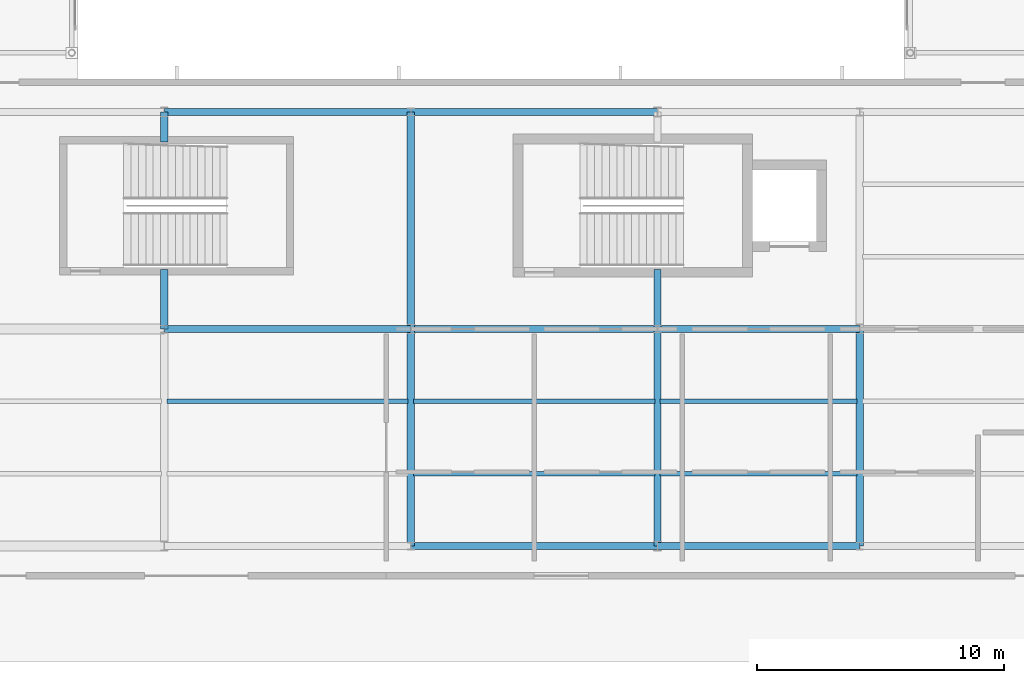
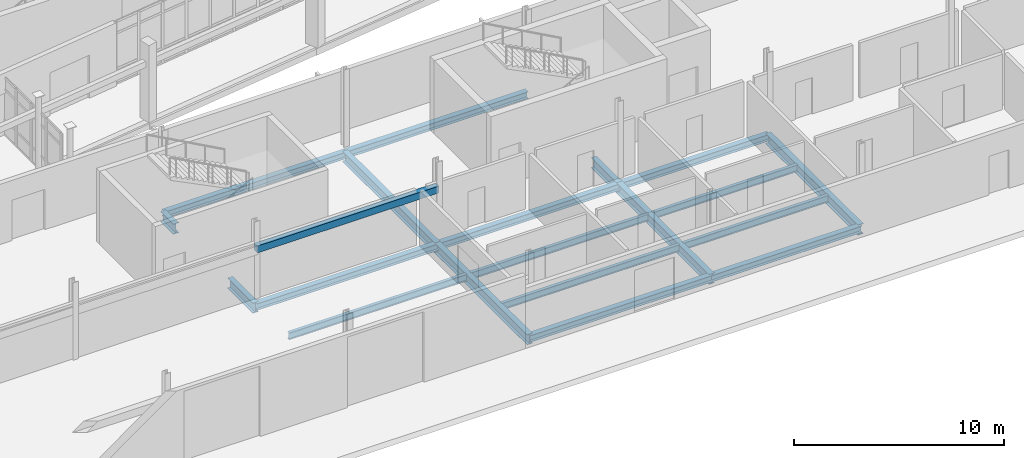
# One storey, part 38 of 122: 20 beams.
"""IFC4 building model written with IfcOpenShell, lengths in metres."""

from ifc_helpers import new_model, si_unit, direction, frame, origin, origin_2d, place, context, subcontext, project, spatial, rectangle, i_section, extrude, material, material_profile, profile_set, type_object, element, save


model = new_model("IFC4")

# Units and contexts
model_context = context("Model", 3, precision=1e-05, world=origin(), true_north=direction((0.0, 1.0)))
body_context = subcontext(model_context, "Body", "Model", "MODEL_VIEW")
ifc_project = project(units=[si_unit("LENGTHUNIT", "METRE"), si_unit("AREAUNIT", "SQUARE_METRE"), si_unit("VOLUMEUNIT", "CUBIC_METRE"), si_unit("PLANEANGLEUNIT", "RADIAN"), si_unit("MASSUNIT", "GRAM", prefix="KILO")], contexts=[model_context])

# Site, building, storey
site_placement = place(None, origin())
site = spatial("IfcSite", under=ifc_project, at=site_placement, CompositionType="ELEMENT")
building_placement = place(site_placement, origin())
building = spatial("IfcBuilding", under=site, at=building_placement, Name="Sohan Crest Arena", CompositionType="ELEMENT")
storey_placement = place(building_placement, origin())
storey = spatial("IfcBuildingStorey", under=building, at=storey_placement, Name="L00", CompositionType="ELEMENT", Elevation=0.0)

# Beams
ifc_material_1 = material(Name="Steel S355", Category="steel")
ifc_material_profile_1 = material_profile(ifc_material_1, i_section(OverallWidth=0.179931640625, OverallDepth=0.39990234375, WebThickness=0.008544921875, FlangeThickness=0.013427734375, at=origin_2d()), Name="IPE 400")
ifc_profile_set_1 = profile_set([ifc_material_profile_1], Name="Steel S355")
beam_type_1 = type_object("IfcBeamType", Name="STR-BM-B03", PredefinedType="JOIST", material=ifc_profile_set_1)
for number, where, z_axis, x_axis, name in (
    (1, (105.110107421875, 13.06689453125, -0.5), (1.0, 0.0, 0.0), (0.0, 1.0, 0.0), "Structural beam J-L00-2537"),
    (2, (115.110107421875, 10.133056640625, -0.5), (1.0, 0.0, 0.0), (0.0, 1.0, 0.0), "Structural beam J-L00-2539"),
    (3, (115.110107421875, 13.06689453125, -0.5), (1.0, 0.0, 0.0), (0.0, 1.0, 0.0), "Structural beam J-L00-2540"),
):
    element("IfcBeam", number, at=place(storey_placement, frame(where, z_axis=z_axis, x_axis=x_axis)), inside=storey, type_object=beam_type_1, Name=name, PredefinedType="JOIST", context=body_context, shape_type="SweptSolid", body=[
        extrude(i_section(OverallWidth=0.179931640625, OverallDepth=0.39990234375, WebThickness=0.008544921875, FlangeThickness=0.013427734375, at=origin_2d()), origin(), (0.0, 0.0, 1.0), 9.77978515625),
    ])
for number, where, z_axis, x_axis, name in (
    (4, (125.110107421875, 10.133056640625, -0.5), (1.0, 0.0, 0.0), (0.0, 1.0, 0.0), "Structural beam J-L00-2542"),
    (5, (125.110107421875, 13.06689453125, -0.5), (1.0, 0.0, 0.0), (0.0, 1.0, 0.0), "Structural beam J-L00-2543"),
):
    element("IfcBeam", number, at=place(storey_placement, frame(where, z_axis=z_axis, x_axis=x_axis)), inside=storey, type_object=beam_type_1, Name=name, PredefinedType="JOIST", context=body_context, shape_type="SweptSolid", body=[
        extrude(i_section(OverallWidth=0.179931640625, OverallDepth=0.39990234375, WebThickness=0.008544921875, FlangeThickness=0.013427734375, at=origin_2d()), origin(), (0.0, 0.0, 1.0), 7.97998046875),
    ])
ifc_material_profile_2 = material_profile(ifc_material_1, i_section(OverallWidth=0.300048828125, OverallDepth=0.389892578125, WebThickness=0.010986328125, FlangeThickness=0.01904296875, at=origin_2d()), Name="HEA 400")
ifc_profile_set_2 = profile_set([ifc_material_profile_2], Name="Steel S355")
beam_type_2 = type_object("IfcBeamType", Name="STR-BM-B09", PredefinedType="BEAM", material=ifc_profile_set_2)
beam_1_placement = place(storey_placement, frame((115.0, 7.199951171875, -0.4951171875), z_axis=(1.0, 0.0, 0.0), x_axis=(0.0, 1.0, 0.0)))
element("IfcBeam", 6, at=beam_1_placement, inside=storey, type_object=beam_type_2, Name="Structural beam G-L00-2538", PredefinedType="BEAM", context=body_context, shape_type="SweptSolid", body=[
    extrude(i_section(OverallWidth=0.300048828125, OverallDepth=0.389892578125, WebThickness=0.010986328125, FlangeThickness=0.01904296875, at=origin_2d()), origin(), (0.0, 0.0, 1.0), 10.0),
])
beam_2_placement = place(storey_placement, frame((125.0, 7.199951171875, -0.4951171875), z_axis=(1.0, 0.0, 0.0), x_axis=(0.0, 1.0, 0.0)))
element("IfcBeam", 7, at=beam_2_placement, inside=storey, type_object=beam_type_2, Name="Structural beam G-L00-2541", PredefinedType="BEAM", context=body_context, shape_type="SweptSolid", body=[
    extrude(i_section(OverallWidth=0.300048828125, OverallDepth=0.389892578125, WebThickness=0.010986328125, FlangeThickness=0.01904296875, at=origin_2d()), origin(), (0.0, 0.0, 1.0), 8.199951171875),
])
for number, where, z_axis, x_axis, name in (
    (8, (105.0, 16.0, -0.4951171875), (1.0, 0.0, 0.0), (0.0, 1.0, 0.0), "Structural beam G-L00-2556"),
    (9, (115.0, 16.0, -0.4951171875), (1.0, 0.0, 0.0), (0.0, 1.0, 0.0), "Structural beam G-L00-2557"),
):
    element("IfcBeam", number, at=place(storey_placement, frame(where, z_axis=z_axis, x_axis=x_axis)), inside=storey, type_object=beam_type_2, Name=name, PredefinedType="BEAM", context=body_context, shape_type="SweptSolid", body=[
        extrude(i_section(OverallWidth=0.300048828125, OverallDepth=0.389892578125, WebThickness=0.010986328125, FlangeThickness=0.01904296875, at=origin_2d()), origin(), (0.0, 0.0, 1.0), 10.0),
    ])
beam_3_placement = place(storey_placement, frame((125.0, 16.0, -0.4951171875), z_axis=(1.0, 0.0, 0.0), x_axis=(0.0, 1.0, 0.0)))
element("IfcBeam", 10, at=beam_3_placement, inside=storey, type_object=beam_type_2, Name="Structural beam G-L00-2558", PredefinedType="BEAM", context=body_context, shape_type="SweptSolid", body=[
    extrude(i_section(OverallWidth=0.300048828125, OverallDepth=0.389892578125, WebThickness=0.010986328125, FlangeThickness=0.01904296875, at=origin_2d()), origin(), (0.0, 0.0, 1.0), 8.199951171875),
])
for number, where, z_axis, x_axis, name in (
    (11, (105.0, 24.800048828125, -0.4951171875), (1.0, 0.0, 0.0), (0.0, 1.0, 0.0), "Structural beam G-L00-2567"),
    (12, (115.0, 24.800048828125, -0.4951171875), (1.0, 0.0, 0.0), (0.0, 1.0, 0.0), "Structural beam G-L00-2568"),
):
    element("IfcBeam", number, at=place(storey_placement, frame(where, z_axis=z_axis, x_axis=x_axis)), inside=storey, type_object=beam_type_2, Name=name, PredefinedType="BEAM", context=body_context, shape_type="SweptSolid", body=[
        extrude(i_section(OverallWidth=0.300048828125, OverallDepth=0.389892578125, WebThickness=0.010986328125, FlangeThickness=0.01904296875, at=origin_2d()), origin(), (0.0, 0.0, 1.0), 10.0),
    ])
ifc_material_profile_3 = material_profile(ifc_material_1, i_section(OverallWidth=0.300048828125, OverallDepth=0.60009765625, WebThickness=0.015380859375, FlangeThickness=0.030029296875, at=origin_2d()), Name="HEB 600")
ifc_profile_set_3 = profile_set([ifc_material_profile_3], Name="Steel S355")
beam_type_3 = type_object("IfcBeamType", Name="STR-BM-B15", PredefinedType="BEAM", material=ifc_profile_set_3)
beam_4_placement = place(storey_placement, frame((105.0, 16.0, -0.60009765625), z_axis=(0.0, 1.0, 0.0), x_axis=(-1.0, 0.0, 0.0)))
element("IfcBeam", 13, at=beam_4_placement, inside=storey, type_object=beam_type_3, Name="Structural beam G-L00-2510", PredefinedType="BEAM", context=body_context, shape_type="SweptSolid", body=[
    extrude(i_section(OverallWidth=0.300048828125, OverallDepth=0.60009765625, WebThickness=0.015380859375, FlangeThickness=0.030029296875, at=origin_2d()), origin(), (0.0, 0.0, 1.0), 2.419921875),
])
beam_5_placement = place(storey_placement, frame((105.0, 23.580078125, -0.60009765625), z_axis=(0.0, 1.0, 0.0), x_axis=(-1.0, 0.0, 0.0)))
element("IfcBeam", 14, at=beam_5_placement, inside=storey, type_object=beam_type_3, Name="Structural beam G-L00-2511", PredefinedType="BEAM", context=body_context, shape_type="SweptSolid", body=[
    extrude(i_section(OverallWidth=0.300048828125, OverallDepth=0.60009765625, WebThickness=0.015380859375, FlangeThickness=0.030029296875, at=origin_2d()), origin(), (0.0, 0.0, 1.0), 1.219970703125),
])
for number, where, z_axis, x_axis, name in (
    (15, (115.0, 7.199951171875, -0.60009765625), (0.0, 1.0, 0.0), (-1.0, 0.0, 0.0), "Structural beam G-L00-2512"),
    (16, (115.0, 16.0, -0.60009765625), (0.0, 1.0, 0.0), (-1.0, 0.0, 0.0), "Structural beam G-L00-2513"),
    (17, (125.0, 7.199951171875, -0.60009765625), (0.0, 1.0, 0.0), (-1.0, 0.0, 0.0), "Structural beam G-L00-2514"),
):
    element("IfcBeam", number, at=place(storey_placement, frame(where, z_axis=z_axis, x_axis=x_axis)), inside=storey, type_object=beam_type_3, Name=name, PredefinedType="BEAM", context=body_context, shape_type="SweptSolid", body=[
        extrude(i_section(OverallWidth=0.300048828125, OverallDepth=0.60009765625, WebThickness=0.015380859375, FlangeThickness=0.030029296875, at=origin_2d()), origin(), (0.0, 0.0, 1.0), 8.800048828125),
    ])
beam_6_placement = place(storey_placement, frame((125.0, 16.0, -0.60009765625), z_axis=(0.0, 1.0, 0.0), x_axis=(-1.0, 0.0, 0.0)))
element("IfcBeam", 18, at=beam_6_placement, inside=storey, type_object=beam_type_3, Name="Structural beam G-L00-2515", PredefinedType="BEAM", context=body_context, shape_type="SweptSolid", body=[
    extrude(i_section(OverallWidth=0.300048828125, OverallDepth=0.60009765625, WebThickness=0.015380859375, FlangeThickness=0.030029296875, at=origin_2d()), origin(), (0.0, 0.0, 1.0), 2.419921875),
])
beam_7_placement = place(storey_placement, frame((133.199951171875, 7.199951171875, -0.60009765625), z_axis=(0.0, 1.0, 0.0), x_axis=(-1.0, 0.0, 0.0)))
element("IfcBeam", 19, at=beam_7_placement, inside=storey, type_object=beam_type_3, Name="Structural beam G-L00-2517", PredefinedType="BEAM", context=body_context, shape_type="SweptSolid", body=[
    extrude(i_section(OverallWidth=0.300048828125, OverallDepth=0.60009765625, WebThickness=0.015380859375, FlangeThickness=0.030029296875, at=origin_2d()), origin(), (0.0, 0.0, 1.0), 8.800048828125),
])
ifc_material_2 = material(Name="Concrete C40/50", Category="concrete")
ifc_material_profile_4 = material_profile(ifc_material_2, rectangle(XDim=0.300048828125, YDim=0.39990234375, at=origin_2d()), Name="RC-LNT 300x400")
ifc_profile_set_4 = profile_set([ifc_material_profile_4], Name="Concrete C40/50")
beam_type_4 = type_object("IfcBeamType", Name="STR-BM-LN01", PredefinedType="LINTEL", material=ifc_profile_set_4)
beam_8_placement = place(storey_placement, frame((105.0, 16.0, 2.85009765625), z_axis=(1.0, 0.0, 0.0), x_axis=(0.0, 1.0, 0.0)))
element("IfcBeam", 20, at=beam_8_placement, inside=storey, type_object=beam_type_4, Name="Structural beam LN-L00-2919", PredefinedType="LINTEL", context=body_context, shape_type="SweptSolid", body=[
    extrude(rectangle(XDim=0.300048828125, YDim=0.39990234375, at=origin_2d()), origin(), (0.0, 0.0, 1.0), 10.0),
])

save(model, "model.ifc")
